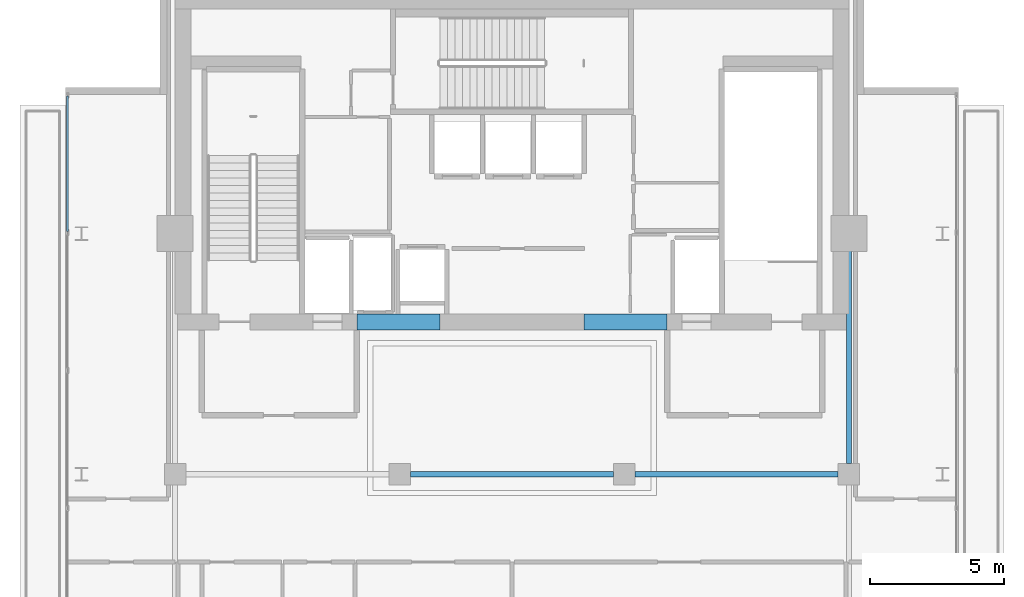
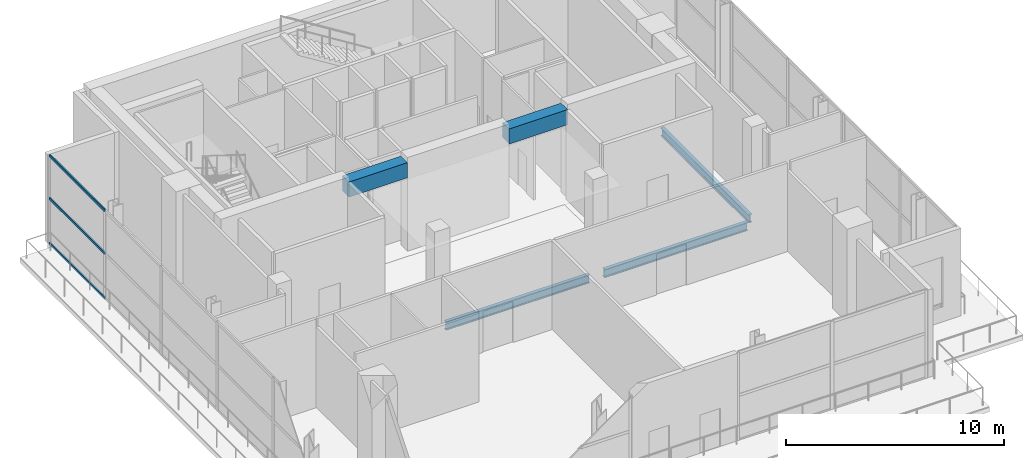
# One storey, part 7 of 19: 5 beams, 3 members, 1 element without a shape of its own.
"""IFC4 building model written with IfcOpenShell, lengths in metres."""

from ifc_helpers import new_model, si_unit, direction, frame, origin, origin_2d, place, context, subcontext, project, spatial, rectangle, hollow_rectangle, i_section, extrude, material, layer, layer_set, material_profile, profile_set, type_object, element, aggregate, save


model = new_model("IFC4")

# Units and contexts
model_context = context("Model", 3, precision=1e-05, world=origin(), true_north=direction((0.0, 1.0)))
body_context = subcontext(model_context, "Body", "Model", "MODEL_VIEW")
ifc_project = project(units=[si_unit("LENGTHUNIT", "METRE"), si_unit("AREAUNIT", "SQUARE_METRE"), si_unit("VOLUMEUNIT", "CUBIC_METRE"), si_unit("PLANEANGLEUNIT", "RADIAN"), si_unit("MASSUNIT", "GRAM", prefix="KILO")], contexts=[model_context])

# Site, building, storey
site_placement = place(None, origin())
site = spatial("IfcSite", under=ifc_project, at=site_placement, CompositionType="ELEMENT")
building_placement = place(site_placement, origin())
building = spatial("IfcBuilding", under=site, at=building_placement, Name="Maruvema Waterfront Hotel and Observation Tower", CompositionType="ELEMENT")
storey_placement = place(building_placement, frame((0.0, 0.0, 359.10009765625)))
storey = spatial("IfcBuildingStorey", under=building, at=storey_placement, Name="L88", CompositionType="ELEMENT", Elevation=359.10009765625)

# Beams
ifc_material_1 = material(Name="Concrete C60/75", Category="concrete")
ifc_material_profile_1 = material_profile(ifc_material_1, rectangle(XDim=0.60009765625, YDim=0.85009765625, at=origin_2d()), Name="CB600x850")
ifc_profile_set_1 = profile_set([ifc_material_profile_1], Name="Concrete C60/75")
beam_type_1 = type_object("IfcBeamType", Name="Core Coupling Lintel Beam CB600x850", PredefinedType="LINTEL", material=ifc_profile_set_1)
for number, where, z_axis, x_axis, name in (
    (1, (32.0, 41.699951171875, 4.544921875), (1.0, 0.0, 0.0), (0.0, 1.0, 0.0), "L88 Core Coupling Lintel Beam West"),
    (2, (40.5, 41.699951171875, 4.544921875), (1.0, 0.0, 0.0), (0.0, 1.0, 0.0), "L88 Core Coupling Lintel Beam East"),
):
    element("IfcBeam", number, at=place(storey_placement, frame(where, z_axis=z_axis, x_axis=x_axis)), inside=storey, type_object=beam_type_1, Name=name, PredefinedType="LINTEL", context=body_context, shape_type="SweptSolid", body=[
        extrude(rectangle(XDim=0.60009765625, YDim=0.85009765625, at=origin_2d()), origin(), (0.0, 0.0, 1.0), 3.10009765625),
    ])

# Curtain wall, members
ifc_material_2 = material(Name="Anodised bronze aluminium and solar-control low-E IGU", Category="aluminium")
ifc_layer = layer(ifc_material_2, 0.159912109375, Name="Observation Crown Structural Glazed Curtain Wall System CW-06")
ifc_layer_set = layer_set([ifc_layer], Name="Anodised bronze aluminium and solar-control low-E IGU")
curtain_wall_type = type_object("IfcCurtainWallType", Name="Observation Crown Structural Glazed Curtain Wall System CW-06", PredefinedType="USERDEFINED", material=ifc_layer_set)
curtain_wall_placement = place(storey_placement, origin())
curtain_wall = element("IfcCurtainWall", 3, at=curtain_wall_placement, inside=storey, type_object=curtain_wall_type, Name="L88 Curtain Wall CW-L88-W", ObjectType="UNITISED CURTAIN WALL", PredefinedType="USERDEFINED")
ifc_material_3 = material(Name="Anodised architectural bronze aluminium", Category="aluminium")
ifc_material_profile_2 = material_profile(ifc_material_3, hollow_rectangle(XDim=0.070068359375, YDim=0.14990234375, WallThickness=0.00390625, at=origin_2d()), Name="ALU-T70x150")
ifc_profile_set_2 = profile_set([ifc_material_profile_2], Name="Anodised architectural bronze aluminium")
member_type = type_object("IfcMemberType", Name="Curtain Wall Horizontal Transom ALU-T70x150", PredefinedType="USERDEFINED", material=ifc_profile_set_2)
member_1_placement = place(storey_placement, frame((21.179931640625, 50.139892578125, 0.02978515625), z_axis=(0.0, -1.0, 0.0), x_axis=(1.0, 0.0, 0.0)))
member_1 = element("IfcMember", 4, at=member_1_placement, type_object=member_type, Name="CW-06 transom 1.1", ObjectType="TRANSOM", PredefinedType="USERDEFINED", context=body_context, shape_type="SweptSolid", body=[
    extrude(hollow_rectangle(XDim=0.070068359375, YDim=0.14990234375, WallThickness=0.00390625, at=origin_2d()), origin(), (0.0, 0.0, 1.0), 5.06982421875),
])
member_2_placement = place(storey_placement, frame((21.179931640625, 50.139892578125, 2.5498046875), z_axis=(0.0, -1.0, 0.0), x_axis=(1.0, 0.0, 0.0)))
member_2 = element("IfcMember", 5, at=member_2_placement, type_object=member_type, Name="CW-06 transom 1.2", ObjectType="TRANSOM", PredefinedType="USERDEFINED", context=body_context, shape_type="SweptSolid", body=[
    extrude(hollow_rectangle(XDim=0.070068359375, YDim=0.14990234375, WallThickness=0.00390625, at=origin_2d()), origin(), (0.0, 0.0, 1.0), 5.06982421875),
])
member_3_placement = place(storey_placement, frame((21.179931640625, 50.139892578125, 4.93994140625), z_axis=(0.0, -1.0, 0.0), x_axis=(1.0, 0.0, 0.0)))
member_3 = element("IfcMember", 6, at=member_3_placement, type_object=member_type, Name="CW-06 transom 1.3", ObjectType="TRANSOM", PredefinedType="USERDEFINED", context=body_context, shape_type="SweptSolid", body=[
    extrude(hollow_rectangle(XDim=0.070068359375, YDim=0.14990234375, WallThickness=0.00390625, at=origin_2d()), origin(), (0.0, 0.0, 1.0), 5.06982421875),
])
aggregate(curtain_wall, [member_1, member_2, member_3])

# Beams
ifc_material_4 = material(Name="Steel ASTM A572 Grade 50", Category="steel")
ifc_material_profile_3 = material_profile(ifc_material_4, i_section(OverallWidth=0.19189453125, OverallDepth=0.462890625, WebThickness=0.010498046875, FlangeThickness=0.017578125, FilletRadius=0.014892578125, at=origin_2d()), Name="W460x89.0")
ifc_profile_set_3 = profile_set([ifc_material_profile_3], Name="Steel ASTM A572 Grade 50")
beam_type_2 = type_object("IfcBeamType", Name="Primary Floor Girder W460x89.0", PredefinedType="BEAM", material=ifc_profile_set_3)
for number, where, z_axis, x_axis, name in (
    (7, (34.0, 36.0, -0.49169921875), (1.0, 0.0, 0.0), (0.0, 1.0, 0.0), "L88 Floor Girder EW-03"),
    (8, (42.39990234375, 36.0, -0.49169921875), (1.0, 0.0, 0.0), (0.0, 1.0, 0.0), "L88 Floor Girder EW-04"),
):
    element("IfcBeam", number, at=place(storey_placement, frame(where, z_axis=z_axis, x_axis=x_axis)), inside=storey, type_object=beam_type_2, Name=name, PredefinedType="BEAM", context=body_context, shape_type="SweptSolid", body=[
        extrude(i_section(OverallWidth=0.19189453125, OverallDepth=0.462890625, WebThickness=0.010498046875, FlangeThickness=0.017578125, FilletRadius=0.014892578125, at=origin_2d()), origin(), (0.0, 0.0, 1.0), 7.60009765625),
    ])
beam_placement = place(storey_placement, frame((50.39990234375, 36.39990234375, -0.49169921875), z_axis=(0.0, 1.0, 0.0), x_axis=(-1.0, 0.0, 0.0)))
element("IfcBeam", 9, at=beam_placement, inside=storey, type_object=beam_type_2, Name="L88 Floor Girder NS-04", PredefinedType="BEAM", context=body_context, shape_type="SweptSolid", body=[
    extrude(i_section(OverallWidth=0.19189453125, OverallDepth=0.462890625, WebThickness=0.010498046875, FlangeThickness=0.017578125, FilletRadius=0.014892578125, at=origin_2d()), origin(), (0.0, 0.0, 1.0), 8.10009765625),
])

save(model, "model.ifc")
